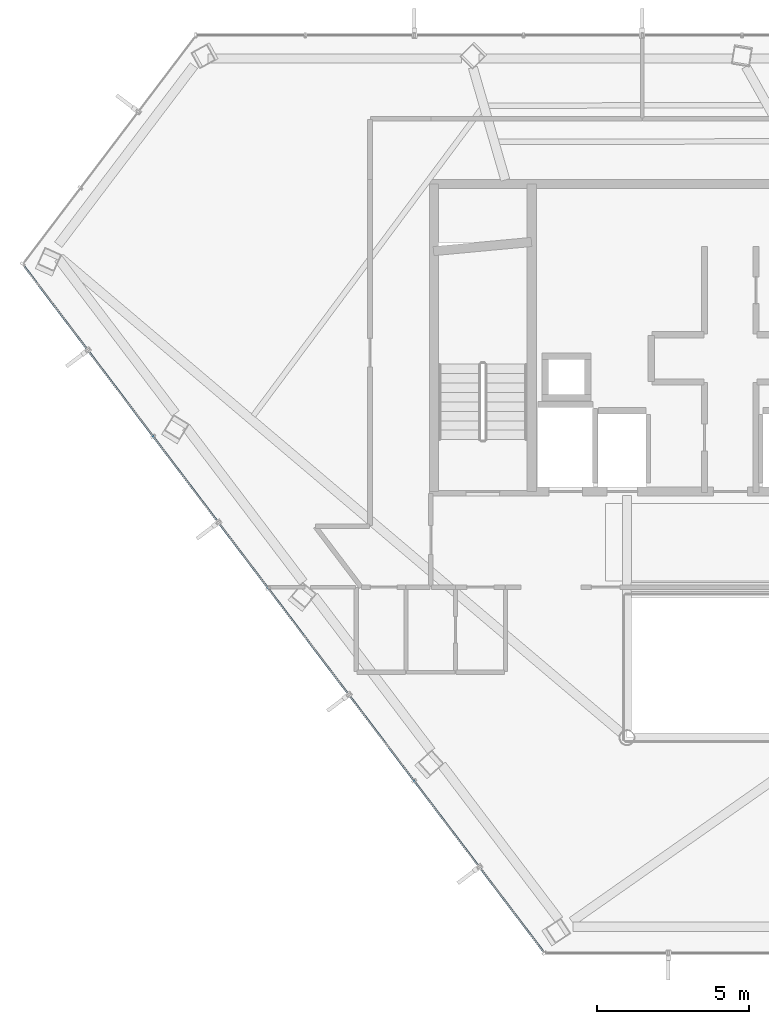
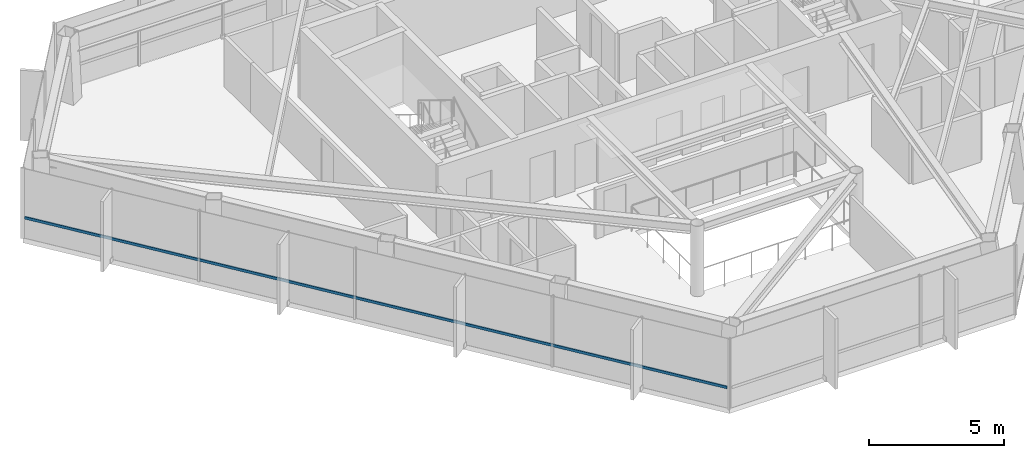
# One storey, part 4 of 27: 1 member, 1 element without a shape of its own.
"""IFC4 building model written with IfcOpenShell, lengths in metres."""

from ifc_helpers import new_model, si_unit, direction, frame, origin, origin_2d, place, context, subcontext, project, spatial, hollow_rectangle, extrude, material, layer, layer_set, material_profile, profile_set, type_object, element, aggregate, save


model = new_model("IFC4")

# Units and contexts
model_context = context("Model", 3, precision=1e-05, world=origin(), true_north=direction((0.0, 1.0)))
body_context = subcontext(model_context, "Body", "Model", "MODEL_VIEW")
ifc_project = project(units=[si_unit("LENGTHUNIT", "METRE"), si_unit("AREAUNIT", "SQUARE_METRE"), si_unit("VOLUMEUNIT", "CUBIC_METRE"), si_unit("PLANEANGLEUNIT", "RADIAN"), si_unit("MASSUNIT", "GRAM", prefix="KILO")], contexts=[model_context])

# Site, building, storey
site_placement = place(None, origin())
site = spatial("IfcSite", under=ifc_project, at=site_placement, CompositionType="ELEMENT")
building_placement = place(site_placement, origin())
building = spatial("IfcBuilding", under=site, at=building_placement, Name="Zarrinselat Tower", CompositionType="ELEMENT")
storey_placement = place(building_placement, frame((0.0, 0.0, 225.760009765625)))
storey = spatial("IfcBuildingStorey", under=building, at=storey_placement, Name="L56", CompositionType="ELEMENT", Elevation=225.760009765625)

# Curtain wall, member
ifc_material_1 = material(Name="Extruded Aluminium Alloy EN AW-6063 T6", Category="aluminium")
ifc_layer = layer(ifc_material_1, 0.169921875)
ifc_layer_set = layer_set([ifc_layer], Name="Extruded Aluminium Alloy EN AW-6063 T6")
curtain_wall_type = type_object("IfcCurtainWallType", Name="CWS-RES", PredefinedType="NOTDEFINED", material=ifc_layer_set)
curtain_wall_placement = place(storey_placement, origin())
curtain_wall = element("IfcCurtainWall", 1, at=curtain_wall_placement, inside=storey, type_object=curtain_wall_type, Name="L56 Unitised Curtain Wall CW-L56-E03", PredefinedType="NOTDEFINED")
ifc_material_2 = material(Name="Extruded Aluminium Alloy EN AW-6063 T6", Category="aluminium")
ifc_material_profile = material_profile(ifc_material_2, hollow_rectangle(XDim=0.06005859375, YDim=0.1201171875, WallThickness=0.00390625, at=origin_2d()), Name="RHS 120x60x4")
ifc_profile_set = profile_set([ifc_material_profile], Name="Extruded Aluminium Alloy EN AW-6063 T6")
member_type = type_object("IfcMemberType", Name="MEM-CW-TRN2", PredefinedType="USERDEFINED", material=ifc_profile_set)
member_placement = place(storey_placement, frame((15.180908203125, 40.7001953125, 0.949951171875), z_axis=(0.603865676755, -0.797086096001, 0.0), x_axis=(0.797086096001, 0.603865676755, 0.0)))
member = element("IfcMember", 2, at=member_placement, type_object=member_type, Name="CW-L56-E03 Transom 1", ObjectType="TRANSOM", PredefinedType="USERDEFINED", context=body_context, shape_type="SweptSolid", body=[
    extrude(hollow_rectangle(XDim=0.06005859375, YDim=0.1201171875, WallThickness=0.00390625, at=origin_2d()), origin(), (0.0, 0.0, 1.0), 28.242431640625),
])
aggregate(curtain_wall, [member])

save(model, "model.ifc")
